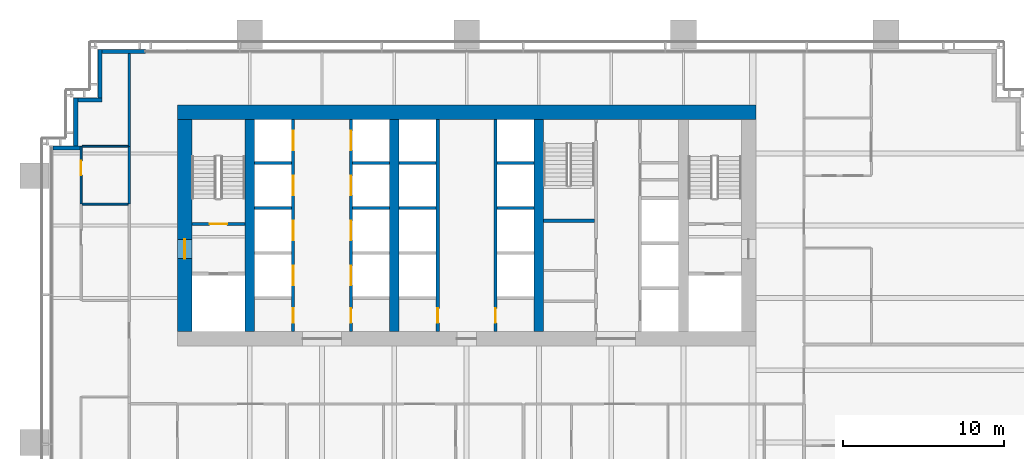
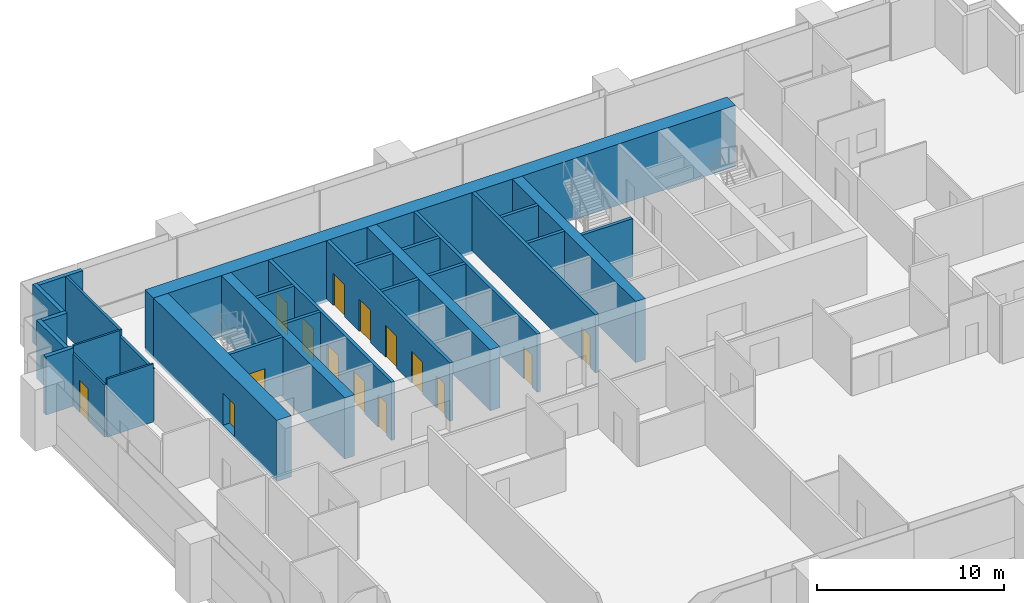
# One storey, part 14 of 19: 29 walls, 15 doors, 15 openings.
"""IFC4 building model written with IfcOpenShell, lengths in metres."""

from ifc_helpers import new_model, si_unit, direction, frame, frame_2d, origin, place, context, subcontext, project, spatial, rectangle, extrude, material, layer, layer_set, type_object, element, fill, save


model = new_model("IFC4")

# Units and contexts
model_context = context("Model", 3, precision=1e-05, world=origin(), true_north=direction((0.0, 1.0)))
body_context = subcontext(model_context, "Body", "Model", "MODEL_VIEW")
ifc_project = project(units=[si_unit("LENGTHUNIT", "METRE"), si_unit("AREAUNIT", "SQUARE_METRE"), si_unit("VOLUMEUNIT", "CUBIC_METRE"), si_unit("PLANEANGLEUNIT", "RADIAN"), si_unit("MASSUNIT", "GRAM", prefix="KILO")], contexts=[model_context])

# Site, building, storey
site_placement = place(None, origin())
site = spatial("IfcSite", under=ifc_project, at=site_placement, CompositionType="ELEMENT")
building_placement = place(site_placement, origin())
building = spatial("IfcBuilding", under=site, at=building_placement, Name="Rattan Terrace Tower", CompositionType="ELEMENT")
storey_placement = place(building_placement, frame((0.0, 0.0, 87.699951171875)))
storey = spatial("IfcBuildingStorey", under=building, at=storey_placement, Name="L19", CompositionType="ELEMENT", Elevation=87.699951171875)

# Wall, opening, door
ifc_material_1 = material(Name="Gypsum board partition")
ifc_layer_1 = layer(ifc_material_1, 0.199951171875)
ifc_layer_set_1 = layer_set([ifc_layer_1], Name="Core partition 200")
wall_type_1 = type_object("IfcWallType", Name="Core partition 200", PredefinedType="PARTITIONING", material=ifc_layer_set_1)
wall_1_placement = place(storey_placement, frame((-17.10009765625, 0.10009765625, 0.0), z_axis=(0.0, 0.0, 1.0), x_axis=(1.0, 0.0, 0.0)))
wall_1 = element("IfcWall", 1, at=wall_1_placement, inside=storey, type_object=wall_type_1, Name="Stair enclosure wall", PredefinedType="PARTITIONING", context=body_context, shape_type="SweptSolid", body=[
    extrude(rectangle(XDim=3.300048828125, YDim=0.199951171875, at=frame_2d((1.64990234375, 0.0))), origin(), (0.0, 0.0, 1.0), 3.800048828125),
])
opening_1_placement = place(wall_1_placement, frame((1.10009765625, 0.0, 0.0)))
opening_1 = element("IfcOpeningElement", 2, at=opening_1_placement, cuts=wall_1, Name="Opening L19-D002", PredefinedType="OPENING", context=body_context, shape_type="SweptSolid", body=[
    extrude(rectangle(XDim=1.10009765625, YDim=2.10009765625, at=frame_2d((0.550048828125, 1.050048828125))), frame((0.0, 0.110595703125, 0.0), z_axis=(0.0, -1.0, 0.0), x_axis=(1.0, 0.0, 0.0)), (0.0, 0.0, 1.0), 0.220947265625),
])
ifc_material_2 = material(Name="Hollow-metal fire door leaf")
door_type_1 = type_object("IfcDoorType", Name="Core stair door 1100", OperationType="NOTDEFINED", PredefinedType="DOOR", material=ifc_material_2)
door_1_placement = place(opening_1_placement, origin())
door_1 = element("IfcDoor", 3, at=door_1_placement, inside=storey, type_object=door_type_1, Name="Door L19-D002", OperationType="SINGLE_SWING_LEFT", OverallHeight=2.10009765625, OverallWidth=1.10009765625, PredefinedType="DOOR", context=body_context, shape_type="SweptSolid", body=[
    extrude(rectangle(XDim=1.10009765625, YDim=2.10009765625, at=frame_2d((0.550048828125, 1.050048828125))), frame((0.0, 0.02490234375, 0.0), z_axis=(0.0, -1.0, 0.0), x_axis=(1.0, 0.0, 0.0)), (0.0, 0.0, 1.0), 0.050048828125),
])
fill(opening_1, door_1)

# Walls
wall_2_placement = place(storey_placement, frame((4.800048828125, 0.300048828125, 0.0), z_axis=(0.0, 0.0, 1.0), x_axis=(1.0, 0.0, 0.0)))
element("IfcWall", 4, at=wall_2_placement, inside=storey, type_object=wall_type_1, Name="Stair enclosure wall", PredefinedType="PARTITIONING", context=body_context, shape_type="SweptSolid", body=[
    extrude(rectangle(XDim=3.14990234375, YDim=0.199951171875, at=frame_2d((1.574951171875, 0.0))), origin(), (0.0, 0.0, 1.0), 3.800048828125),
])
ifc_material_3 = material(Name="Concrete C70/85", Category="concrete")
ifc_layer_2 = layer(ifc_material_3, 0.89990234375)
ifc_layer_set_2 = layer_set([ifc_layer_2], Name="Core ring wall 900 C70/85")
wall_type_2 = type_object("IfcWallType", Name="Core ring wall 900 C70/85", PredefinedType="SHEAR", material=ifc_layer_set_2)
wall_3_placement = place(storey_placement, frame((-18.0, 7.050048828125, -0.199951171875), z_axis=(0.0, 0.0, 1.0), x_axis=(1.0, 0.0, 0.0)))
element("IfcWall", 5, at=wall_3_placement, inside=storey, type_object=wall_type_2, Name="Rear core wall north", PredefinedType="SHEAR", context=body_context, shape_type="SweptSolid", body=[
    extrude(rectangle(XDim=36.0, YDim=0.89990234375, at=frame_2d((18.0, 0.0))), origin(), (0.0, 0.0, 1.0), 4.0),
])

# Wall, opening, door
wall_4_placement = place(storey_placement, frame((-17.550048828125, -6.60009765625, -0.199951171875), z_axis=(0.0, 0.0, 1.0), x_axis=(0.0, 1.0, 0.0)))
wall_4 = element("IfcWall", 6, at=wall_4_placement, inside=storey, type_object=wall_type_2, Name="Rear core wall west", PredefinedType="SHEAR", context=body_context, shape_type="SweptSolid", body=[
    extrude(rectangle(XDim=13.2001953125, YDim=0.89990234375, at=frame_2d((6.60009765625, 0.0))), origin(), (0.0, 0.0, 1.0), 4.0),
])
opening_2_placement = place(wall_4_placement, frame((4.550048828125, 0.0, 0.199951171875)))
opening_2 = element("IfcOpeningElement", 7, at=opening_2_placement, cuts=wall_4, Name="Opening L19-D001", PredefinedType="OPENING", context=body_context, shape_type="SweptSolid", body=[
    extrude(rectangle(XDim=1.199951171875, YDim=2.10009765625, at=frame_2d((0.60009765625, 1.050048828125))), frame((0.0, 0.46044921875, 0.0), z_axis=(0.0, -1.0, 0.0), x_axis=(1.0, 0.0, 0.0)), (0.0, 0.0, 1.0), 0.9208984375),
])
ifc_material_4 = material(Name="Hollow-metal fire door leaf")
door_type_2 = type_object("IfcDoorType", Name="Core fire-fighting lobby door 1200", OperationType="NOTDEFINED", PredefinedType="DOOR", material=ifc_material_4)
door_2_placement = place(opening_2_placement, origin())
door_2 = element("IfcDoor", 8, at=door_2_placement, inside=storey, type_object=door_type_2, Name="Door L19-D001", OperationType="SINGLE_SWING_RIGHT", OverallHeight=2.10009765625, OverallWidth=1.199951171875, PredefinedType="DOOR", context=body_context, shape_type="SweptSolid", body=[
    extrude(rectangle(XDim=1.199951171875, YDim=2.10009765625, at=frame_2d((0.60009765625, 1.050048828125))), frame((0.0, 0.02490234375, 0.0), z_axis=(0.0, -1.0, 0.0), x_axis=(1.0, 0.0, 0.0)), (0.0, 0.0, 1.0), 0.050048828125),
])
fill(opening_2, door_2)

# Walls
ifc_material_5 = material(Name="Concrete C70/85", Category="concrete")
ifc_layer_3 = layer(ifc_material_5, 0.60009765625)
ifc_layer_set_3 = layer_set([ifc_layer_3], Name="Core spine wall 600 C70/85")
wall_type_3 = type_object("IfcWallType", Name="Core spine wall 600 C70/85", PredefinedType="SHEAR", material=ifc_layer_set_3)
for number, where, z_axis, x_axis, name in (
    (9, (-13.5, -6.60009765625, -0.199951171875), (0.0, 0.0, 1.0), (0.0, 1.0, 0.0), "Core spine wall 1"),
    (10, (-4.5, -6.60009765625, -0.199951171875), (0.0, 0.0, 1.0), (0.0, 1.0, 0.0), "Core spine wall 2"),
    (11, (4.5, -6.60009765625, -0.199951171875), (0.0, 0.0, 1.0), (0.0, 1.0, 0.0), "Core spine wall 3"),
):
    element("IfcWall", number, at=place(storey_placement, frame(where, z_axis=z_axis, x_axis=x_axis)), inside=storey, type_object=wall_type_3, Name=name, PredefinedType="SHEAR", context=body_context, shape_type="SweptSolid", body=[
        extrude(rectangle(XDim=13.2001953125, YDim=0.60009765625, at=frame_2d((6.60009765625, 0.0))), origin(), (0.0, 0.0, 1.0), 4.0),
    ])
ifc_material_6 = material(Name="Insulated aluminium-clad stud wall", Category="aluminium")
ifc_layer_4 = layer(ifc_material_6, 0.25)
ifc_layer_set_4 = layer_set([ifc_layer_4], Name="Facade Riser Wall 250")
wall_type_4 = type_object("IfcWallType", Name="Facade Riser Wall 250", PredefinedType="SOLIDWALL", material=ifc_layer_set_4)
wall_5_placement = place(storey_placement, frame((-20.0, 10.830078125, 0.0), z_axis=(0.0, 0.0, 1.0), x_axis=(-1.0, 0.0, 0.0)))
element("IfcWall", 12, at=wall_5_placement, inside=storey, type_object=wall_type_4, Name="Riser wall L19-11", PredefinedType="SOLIDWALL", context=body_context, shape_type="SweptSolid", body=[
    extrude(rectangle(XDim=2.705078125, YDim=0.25, at=frame_2d((1.3525390625, 0.0))), origin(), (0.0, 0.0, 1.0), 3.800048828125),
])
wall_6_placement = place(storey_placement, frame((-22.830078125, 10.955078125, 0.0), z_axis=(0.0, 0.0, 1.0), x_axis=(0.0, -1.0, 0.0)))
element("IfcWall", 13, at=wall_6_placement, inside=storey, type_object=wall_type_4, Name="Riser wall L19-12", PredefinedType="SOLIDWALL", context=body_context, shape_type="SweptSolid", body=[
    extrude(rectangle(XDim=3.0, YDim=0.25, at=frame_2d((1.5, 0.0))), origin(), (0.0, 0.0, 1.0), 3.800048828125),
])
wall_7_placement = place(storey_placement, frame((-22.705078125, 7.830078125, 0.0), z_axis=(0.0, 0.0, 1.0), x_axis=(-1.0, 0.0, 0.0)))
element("IfcWall", 14, at=wall_7_placement, inside=storey, type_object=wall_type_4, Name="Riser wall L19-13", PredefinedType="SOLIDWALL", context=body_context, shape_type="SweptSolid", body=[
    extrude(rectangle(XDim=1.5, YDim=0.25, at=frame_2d((0.75, 0.0))), origin(), (0.0, 0.0, 1.0), 3.800048828125),
])
wall_8_placement = place(storey_placement, frame((-24.330078125, 7.955078125, 0.0), z_axis=(0.0, 0.0, 1.0), x_axis=(0.0, -1.0, 0.0)))
element("IfcWall", 15, at=wall_8_placement, inside=storey, type_object=wall_type_4, Name="Riser wall L19-14", PredefinedType="SOLIDWALL", context=body_context, shape_type="SweptSolid", body=[
    extrude(rectangle(XDim=3.0, YDim=0.25, at=frame_2d((1.5, 0.0))), origin(), (0.0, 0.0, 1.0), 3.800048828125),
])
wall_9_placement = place(storey_placement, frame((-24.054931640625, 4.830078125, 0.0), z_axis=(0.0, 0.0, 1.0), x_axis=(-1.0, 0.0, 0.0)))
element("IfcWall", 16, at=wall_9_placement, inside=storey, type_object=wall_type_4, Name="Riser wall L19-15", PredefinedType="SOLIDWALL", context=body_context, shape_type="SweptSolid", body=[
    extrude(rectangle(XDim=1.695068359375, YDim=0.25, at=frame_2d((0.84765625, 0.0))), origin(), (0.0, 0.0, 1.0), 3.800048828125),
])
ifc_material_7 = material(Name="Gypsum board partition on steel studs, fire rated", Category="steel")
ifc_layer_5 = layer(ifc_material_7, 0.14990234375)
ifc_layer_set_5 = layer_set([ifc_layer_5], Name="Floors Tenancy Wall 150")
wall_type_5 = type_object("IfcWallType", Name="Floors Tenancy Wall 150", PredefinedType="PARTITIONING", material=ifc_layer_set_5)
wall_10_placement = place(storey_placement, frame((-21.0, 4.919921875, 0.0), z_axis=(0.0, 0.0, 1.0), x_axis=(0.0, 1.0, 0.0)))
element("IfcWall", 17, at=wall_10_placement, inside=storey, type_object=wall_type_5, Name="pt-L19-002", PredefinedType="PARTITIONING", context=body_context, shape_type="SweptSolid", body=[
    extrude(rectangle(XDim=5.820068359375, YDim=0.14990234375, at=frame_2d((2.91015625, 0.0))), origin(), (0.0, 0.0, 1.0), 3.800048828125),
])
wall_11_placement = place(storey_placement, frame((-21.0, 1.360107421875, 0.0), z_axis=(0.0, 0.0, 1.0), x_axis=(0.0, 1.0, 0.0)))
element("IfcWall", 18, at=wall_11_placement, inside=storey, type_object=wall_type_5, Name="pt-L19-005", PredefinedType="PARTITIONING", context=body_context, shape_type="SweptSolid", body=[
    extrude(rectangle(XDim=3.559814453125, YDim=0.14990234375, at=frame_2d((1.77978515625, 0.0))), origin(), (0.0, 0.0, 1.0), 3.400146484375),
])

# Wall, opening, door
ifc_material_8 = material(Name="Moisture resistant gypsum board partition on steel studs with service cavity", Category="steel")
ifc_layer_6 = layer(ifc_material_8, 0.1201171875)
ifc_layer_set_6 = layer_set([ifc_layer_6], Name="Floors Wet Wall 120")
wall_type_6 = type_object("IfcWallType", Name="Floors Wet Wall 120", PredefinedType="PARTITIONING", material=ifc_layer_set_6)
wall_12_placement = place(storey_placement, frame((-24.0, 4.93994140625, 0.0), z_axis=(0.0, 0.0, 1.0), x_axis=(0.0, -1.0, 0.0)))
wall_12 = element("IfcWall", 19, at=wall_12_placement, inside=storey, type_object=wall_type_6, Name="pt-L19-027", PredefinedType="PARTITIONING", context=body_context, shape_type="SweptSolid", body=[
    extrude(rectangle(XDim=3.579833984375, YDim=0.1201171875, at=frame_2d((1.7900390625, 0.0))), origin(), (0.0, 0.0, 1.0), 3.400146484375),
])
opening_3_placement = place(wall_12_placement, frame((0.904052734375, 0.0, 0.0)))
opening_3 = element("IfcOpeningElement", 20, at=opening_3_placement, cuts=wall_12, Name="Opening L19-D105", PredefinedType="OPENING", context=body_context, shape_type="SweptSolid", body=[
    extrude(rectangle(XDim=0.89990234375, YDim=2.10009765625, at=frame_2d((0.449951171875, 1.050048828125))), frame((0.0, 0.070556640625, 0.0), z_axis=(0.0, -1.0, 0.0), x_axis=(1.0, 0.0, 0.0)), (0.0, 0.0, 1.0), 0.14111328125),
])
ifc_material_9 = material(Name="Solid core timber door, painted", Category="wood")
door_type_3 = type_object("IfcDoorType", Name="Floors Door 900x2100", OperationType="NOTDEFINED", PredefinedType="DOOR", material=ifc_material_9)
door_3_placement = place(opening_3_placement, origin())
door_3 = element("IfcDoor", 21, at=door_3_placement, inside=storey, type_object=door_type_3, Name="d-L19-105", OperationType="SINGLE_SWING_LEFT", OverallHeight=2.10009765625, OverallWidth=0.89990234375, PredefinedType="DOOR", context=body_context, shape_type="SweptSolid", body=[
    extrude(rectangle(XDim=0.89990234375, YDim=2.10009765625, at=frame_2d((0.449951171875, 1.050048828125))), frame((0.0, 0.02490234375, 0.0), z_axis=(0.0, -1.0, 0.0), x_axis=(1.0, 0.0, 0.0)), (0.0, 0.0, 1.0), 0.050048828125),
])
fill(opening_3, door_3)

# Walls
for number, where, z_axis, x_axis, name in (
    (22, (-21.074951171875, 4.93994140625, 0.0), (0.0, 0.0, 1.0), (-1.0, 0.0, 0.0), "pt-L19-028"),
    (23, (-23.93994140625, 1.340087890625, 0.0), (0.0, 0.0, 1.0), (1.0, 0.0, 0.0), "pt-L19-036"),
):
    element("IfcWall", number, at=place(storey_placement, frame(where, z_axis=z_axis, x_axis=x_axis)), inside=storey, type_object=wall_type_6, Name=name, PredefinedType="PARTITIONING", context=body_context, shape_type="SweptSolid", body=[
        extrude(rectangle(XDim=2.864990234375, YDim=0.1201171875, at=frame_2d((1.4326171875, 0.0))), origin(), (0.0, 0.0, 1.0), 3.800048828125),
    ])

# Wall, openings, doors
ifc_material_10 = material(Name="Gypsum shaft wall system")
ifc_layer_7 = layer(ifc_material_10, 0.199951171875)
ifc_layer_set_7 = layer_set([ifc_layer_7], Name="Lift shaft wall 200")
wall_type_7 = type_object("IfcWallType", Name="Lift shaft wall 200", PredefinedType="PARTITIONING", material=ifc_layer_set_7)
wall_13_placement = place(storey_placement, frame((-10.800048828125, -6.60009765625, 0.0), z_axis=(0.0, 0.0, 1.0), x_axis=(0.0, 1.0, 0.0)))
wall_13 = element("IfcWall", 24, at=wall_13_placement, inside=storey, type_object=wall_type_7, Name="Lift shaft front wall", PredefinedType="PARTITIONING", context=body_context, shape_type="SweptSolid", body=[
    extrude(rectangle(XDim=13.2001953125, YDim=0.199951171875, at=frame_2d((6.60009765625, 0.0))), origin(), (0.0, 0.0, 1.0), 3.800048828125),
])
opening_4_placement = place(wall_13_placement, frame((0.550048828125, 0.0, 0.0)))
opening_4 = element("IfcOpeningElement", 25, at=opening_4_placement, cuts=wall_13, Name="Opening L19-D005", PredefinedType="OPENING", context=body_context, shape_type="SweptSolid", body=[
    extrude(rectangle(XDim=0.89990234375, YDim=2.10009765625, at=frame_2d((0.449951171875, 1.050048828125))), frame((0.0, 0.110595703125, 0.0), z_axis=(0.0, -1.0, 0.0), x_axis=(1.0, 0.0, 0.0)), (0.0, 0.0, 1.0), 0.220947265625),
])
opening_5_placement = place(wall_13_placement, frame((2.89990234375, 0.0, 0.0)))
opening_5 = element("IfcOpeningElement", 26, at=opening_5_placement, cuts=wall_13, Name="Opening L19-LD-LR1", PredefinedType="OPENING", context=body_context, shape_type="SweptSolid", body=[
    extrude(rectangle(XDim=1.199951171875, YDim=2.10009765625, at=frame_2d((0.60009765625, 1.050048828125))), frame((0.0, 0.110595703125, 0.0), z_axis=(0.0, -1.0, 0.0), x_axis=(1.0, 0.0, 0.0)), (0.0, 0.0, 1.0), 0.220947265625),
])
opening_6_placement = place(wall_13_placement, frame((5.699951171875, 0.0, 0.0)))
opening_6 = element("IfcOpeningElement", 27, at=opening_6_placement, cuts=wall_13, Name="Opening L19-LD-LR2", PredefinedType="OPENING", context=body_context, shape_type="SweptSolid", body=[
    extrude(rectangle(XDim=1.199951171875, YDim=2.10009765625, at=frame_2d((0.60009765625, 1.050048828125))), frame((0.0, 0.110595703125, 0.0), z_axis=(0.0, -1.0, 0.0), x_axis=(1.0, 0.0, 0.0)), (0.0, 0.0, 1.0), 0.220947265625),
])
opening_7_placement = place(wall_13_placement, frame((8.5, 0.0, 0.0)))
opening_7 = element("IfcOpeningElement", 28, at=opening_7_placement, cuts=wall_13, Name="Opening L19-LD-LR3", PredefinedType="OPENING", context=body_context, shape_type="SweptSolid", body=[
    extrude(rectangle(XDim=1.199951171875, YDim=2.10009765625, at=frame_2d((0.60009765625, 1.050048828125))), frame((0.0, 0.110595703125, 0.0), z_axis=(0.0, -1.0, 0.0), x_axis=(1.0, 0.0, 0.0)), (0.0, 0.0, 1.0), 0.220947265625),
])
opening_8_placement = place(wall_13_placement, frame((11.300048828125, 0.0, 0.0)))
opening_8 = element("IfcOpeningElement", 29, at=opening_8_placement, cuts=wall_13, Name="Opening L19-LD-LR4", PredefinedType="OPENING", context=body_context, shape_type="SweptSolid", body=[
    extrude(rectangle(XDim=1.199951171875, YDim=2.10009765625, at=frame_2d((0.60009765625, 1.050048828125))), frame((0.0, 0.110595703125, 0.0), z_axis=(0.0, -1.0, 0.0), x_axis=(1.0, 0.0, 0.0)), (0.0, 0.0, 1.0), 0.220947265625),
])
ifc_material_11 = material(Name="Brushed stainless landing door panel")
door_type_4 = type_object("IfcDoorType", Name="Core lift landing door 1200", OperationType="DOUBLE_DOOR_SLIDING", PredefinedType="DOOR", material=ifc_material_11)
door_4_placement = place(opening_5_placement, origin())
door_4 = element("IfcDoor", 30, at=door_4_placement, inside=storey, type_object=door_type_4, Name="Door L19-LD-LR1", OperationType="DOUBLE_DOOR_SLIDING", OverallHeight=2.10009765625, OverallWidth=1.199951171875, PredefinedType="DOOR", context=body_context, shape_type="SweptSolid", body=[
    extrude(rectangle(XDim=1.199951171875, YDim=2.10009765625, at=frame_2d((0.60009765625, 1.050048828125))), frame((0.0, 0.02490234375, 0.0), z_axis=(0.0, -1.0, 0.0), x_axis=(1.0, 0.0, 0.0)), (0.0, 0.0, 1.0), 0.050048828125),
])
fill(opening_5, door_4)
door_5_placement = place(opening_6_placement, origin())
door_5 = element("IfcDoor", 31, at=door_5_placement, inside=storey, type_object=door_type_4, Name="Door L19-LD-LR2", OperationType="DOUBLE_DOOR_SLIDING", OverallHeight=2.10009765625, OverallWidth=1.199951171875, PredefinedType="DOOR", context=body_context, shape_type="SweptSolid", body=[
    extrude(rectangle(XDim=1.199951171875, YDim=2.10009765625, at=frame_2d((0.60009765625, 1.050048828125))), frame((0.0, 0.02490234375, 0.0), z_axis=(0.0, -1.0, 0.0), x_axis=(1.0, 0.0, 0.0)), (0.0, 0.0, 1.0), 0.050048828125),
])
fill(opening_6, door_5)
door_6_placement = place(opening_7_placement, origin())
door_6 = element("IfcDoor", 32, at=door_6_placement, inside=storey, type_object=door_type_4, Name="Door L19-LD-LR3", OperationType="DOUBLE_DOOR_SLIDING", OverallHeight=2.10009765625, OverallWidth=1.199951171875, PredefinedType="DOOR", context=body_context, shape_type="SweptSolid", body=[
    extrude(rectangle(XDim=1.199951171875, YDim=2.10009765625, at=frame_2d((0.60009765625, 1.050048828125))), frame((0.0, 0.02490234375, 0.0), z_axis=(0.0, -1.0, 0.0), x_axis=(1.0, 0.0, 0.0)), (0.0, 0.0, 1.0), 0.050048828125),
])
fill(opening_7, door_6)
door_7_placement = place(opening_8_placement, origin())
door_7 = element("IfcDoor", 33, at=door_7_placement, inside=storey, type_object=door_type_4, Name="Door L19-LD-LR4", OperationType="DOUBLE_DOOR_SLIDING", OverallHeight=2.10009765625, OverallWidth=1.199951171875, PredefinedType="DOOR", context=body_context, shape_type="SweptSolid", body=[
    extrude(rectangle(XDim=1.199951171875, YDim=2.10009765625, at=frame_2d((0.60009765625, 1.050048828125))), frame((0.0, 0.02490234375, 0.0), z_axis=(0.0, -1.0, 0.0), x_axis=(1.0, 0.0, 0.0)), (0.0, 0.0, 1.0), 0.050048828125),
])
fill(opening_8, door_7)
ifc_material_12 = material(Name="Hollow-metal fire door leaf")
door_type_5 = type_object("IfcDoorType", Name="Core riser door 900", OperationType="NOTDEFINED", PredefinedType="DOOR", material=ifc_material_12)
door_8_placement = place(opening_4_placement, origin())
door_8 = element("IfcDoor", 34, at=door_8_placement, inside=storey, type_object=door_type_5, Name="Door L19-D005", OperationType="SINGLE_SWING_RIGHT", OverallHeight=2.10009765625, OverallWidth=0.89990234375, PredefinedType="DOOR", context=body_context, shape_type="SweptSolid", body=[
    extrude(rectangle(XDim=0.89990234375, YDim=2.10009765625, at=frame_2d((0.449951171875, 1.050048828125))), frame((0.0, 0.02490234375, 0.0), z_axis=(0.0, -1.0, 0.0), x_axis=(1.0, 0.0, 0.0)), (0.0, 0.0, 1.0), 0.050048828125),
])
fill(opening_4, door_8)

wall_14_placement = place(storey_placement, frame((-7.199951171875, -6.60009765625, 0.0), z_axis=(0.0, 0.0, 1.0), x_axis=(0.0, 1.0, 0.0)))
wall_14 = element("IfcWall", 35, at=wall_14_placement, inside=storey, type_object=wall_type_7, Name="Lift shaft front wall", PredefinedType="PARTITIONING", context=body_context, shape_type="SweptSolid", body=[
    extrude(rectangle(XDim=13.2001953125, YDim=0.199951171875, at=frame_2d((6.60009765625, 0.0))), origin(), (0.0, 0.0, 1.0), 3.800048828125),
])
opening_9_placement = place(wall_14_placement, frame((0.550048828125, 0.0, 0.0)))
opening_9 = element("IfcOpeningElement", 36, at=opening_9_placement, cuts=wall_14, Name="Opening L19-D006", PredefinedType="OPENING", context=body_context, shape_type="SweptSolid", body=[
    extrude(rectangle(XDim=0.89990234375, YDim=2.10009765625, at=frame_2d((0.449951171875, 1.050048828125))), frame((0.0, 0.110595703125, 0.0), z_axis=(0.0, -1.0, 0.0), x_axis=(1.0, 0.0, 0.0)), (0.0, 0.0, 1.0), 0.220947265625),
])
opening_10_placement = place(wall_14_placement, frame((2.89990234375, 0.0, 0.0)))
opening_10 = element("IfcOpeningElement", 37, at=opening_10_placement, cuts=wall_14, Name="Opening L19-LD-LR5", PredefinedType="OPENING", context=body_context, shape_type="SweptSolid", body=[
    extrude(rectangle(XDim=1.199951171875, YDim=2.10009765625, at=frame_2d((0.60009765625, 1.050048828125))), frame((0.0, 0.110595703125, 0.0), z_axis=(0.0, -1.0, 0.0), x_axis=(1.0, 0.0, 0.0)), (0.0, 0.0, 1.0), 0.220947265625),
])
opening_11_placement = place(wall_14_placement, frame((5.699951171875, 0.0, 0.0)))
opening_11 = element("IfcOpeningElement", 38, at=opening_11_placement, cuts=wall_14, Name="Opening L19-LD-LR6", PredefinedType="OPENING", context=body_context, shape_type="SweptSolid", body=[
    extrude(rectangle(XDim=1.199951171875, YDim=2.10009765625, at=frame_2d((0.60009765625, 1.050048828125))), frame((0.0, 0.110595703125, 0.0), z_axis=(0.0, -1.0, 0.0), x_axis=(1.0, 0.0, 0.0)), (0.0, 0.0, 1.0), 0.220947265625),
])
opening_12_placement = place(wall_14_placement, frame((8.5, 0.0, 0.0)))
opening_12 = element("IfcOpeningElement", 39, at=opening_12_placement, cuts=wall_14, Name="Opening L19-LD-LR7", PredefinedType="OPENING", context=body_context, shape_type="SweptSolid", body=[
    extrude(rectangle(XDim=1.199951171875, YDim=2.10009765625, at=frame_2d((0.60009765625, 1.050048828125))), frame((0.0, 0.110595703125, 0.0), z_axis=(0.0, -1.0, 0.0), x_axis=(1.0, 0.0, 0.0)), (0.0, 0.0, 1.0), 0.220947265625),
])
opening_13_placement = place(wall_14_placement, frame((11.300048828125, 0.0, 0.0)))
opening_13 = element("IfcOpeningElement", 40, at=opening_13_placement, cuts=wall_14, Name="Opening L19-LD-LR8", PredefinedType="OPENING", context=body_context, shape_type="SweptSolid", body=[
    extrude(rectangle(XDim=1.199951171875, YDim=2.10009765625, at=frame_2d((0.60009765625, 1.050048828125))), frame((0.0, 0.110595703125, 0.0), z_axis=(0.0, -1.0, 0.0), x_axis=(1.0, 0.0, 0.0)), (0.0, 0.0, 1.0), 0.220947265625),
])
door_9_placement = place(opening_10_placement, origin())
door_9 = element("IfcDoor", 41, at=door_9_placement, inside=storey, type_object=door_type_4, Name="Door L19-LD-LR5", OperationType="DOUBLE_DOOR_SLIDING", OverallHeight=2.10009765625, OverallWidth=1.199951171875, PredefinedType="DOOR", context=body_context, shape_type="SweptSolid", body=[
    extrude(rectangle(XDim=1.199951171875, YDim=2.10009765625, at=frame_2d((0.60009765625, 1.050048828125))), frame((0.0, 0.02490234375, 0.0), z_axis=(0.0, -1.0, 0.0), x_axis=(1.0, 0.0, 0.0)), (0.0, 0.0, 1.0), 0.050048828125),
])
fill(opening_10, door_9)
door_10_placement = place(opening_11_placement, origin())
door_10 = element("IfcDoor", 42, at=door_10_placement, inside=storey, type_object=door_type_4, Name="Door L19-LD-LR6", OperationType="DOUBLE_DOOR_SLIDING", OverallHeight=2.10009765625, OverallWidth=1.199951171875, PredefinedType="DOOR", context=body_context, shape_type="SweptSolid", body=[
    extrude(rectangle(XDim=1.199951171875, YDim=2.10009765625, at=frame_2d((0.60009765625, 1.050048828125))), frame((0.0, 0.02490234375, 0.0), z_axis=(0.0, -1.0, 0.0), x_axis=(1.0, 0.0, 0.0)), (0.0, 0.0, 1.0), 0.050048828125),
])
fill(opening_11, door_10)
door_11_placement = place(opening_12_placement, origin())
door_11 = element("IfcDoor", 43, at=door_11_placement, inside=storey, type_object=door_type_4, Name="Door L19-LD-LR7", OperationType="DOUBLE_DOOR_SLIDING", OverallHeight=2.10009765625, OverallWidth=1.199951171875, PredefinedType="DOOR", context=body_context, shape_type="SweptSolid", body=[
    extrude(rectangle(XDim=1.199951171875, YDim=2.10009765625, at=frame_2d((0.60009765625, 1.050048828125))), frame((0.0, 0.02490234375, 0.0), z_axis=(0.0, -1.0, 0.0), x_axis=(1.0, 0.0, 0.0)), (0.0, 0.0, 1.0), 0.050048828125),
])
fill(opening_12, door_11)
door_12_placement = place(opening_13_placement, origin())
door_12 = element("IfcDoor", 44, at=door_12_placement, inside=storey, type_object=door_type_4, Name="Door L19-LD-LR8", OperationType="DOUBLE_DOOR_SLIDING", OverallHeight=2.10009765625, OverallWidth=1.199951171875, PredefinedType="DOOR", context=body_context, shape_type="SweptSolid", body=[
    extrude(rectangle(XDim=1.199951171875, YDim=2.10009765625, at=frame_2d((0.60009765625, 1.050048828125))), frame((0.0, 0.02490234375, 0.0), z_axis=(0.0, -1.0, 0.0), x_axis=(1.0, 0.0, 0.0)), (0.0, 0.0, 1.0), 0.050048828125),
])
fill(opening_13, door_12)
door_13_placement = place(opening_9_placement, origin())
door_13 = element("IfcDoor", 45, at=door_13_placement, inside=storey, type_object=door_type_5, Name="Door L19-D006", OperationType="SINGLE_SWING_LEFT", OverallHeight=2.10009765625, OverallWidth=0.89990234375, PredefinedType="DOOR", context=body_context, shape_type="SweptSolid", body=[
    extrude(rectangle(XDim=0.89990234375, YDim=2.10009765625, at=frame_2d((0.449951171875, 1.050048828125))), frame((0.0, 0.02490234375, 0.0), z_axis=(0.0, -1.0, 0.0), x_axis=(1.0, 0.0, 0.0)), (0.0, 0.0, 1.0), 0.050048828125),
])
fill(opening_9, door_13)

# Walls
for number, where, z_axis, x_axis, name in (
    (46, (-13.199951171875, 1.10009765625, 0.0), (0.0, 0.0, 1.0), (1.0, 0.0, 0.0), "Lift shaft wall"),
    (47, (-13.199951171875, 3.89990234375, 0.0), (0.0, 0.0, 1.0), (1.0, 0.0, 0.0), "Lift shaft wall"),
    (48, (-7.10009765625, 1.10009765625, 0.0), (0.0, 0.0, 1.0), (1.0, 0.0, 0.0), "Lift shaft wall"),
    (49, (-7.10009765625, 3.89990234375, 0.0), (0.0, 0.0, 1.0), (1.0, 0.0, 0.0), "Lift shaft wall"),
):
    element("IfcWall", number, at=place(storey_placement, frame(where, z_axis=z_axis, x_axis=x_axis)), inside=storey, type_object=wall_type_7, Name=name, PredefinedType="PARTITIONING", context=body_context, shape_type="SweptSolid", body=[
        extrude(rectangle(XDim=2.300048828125, YDim=0.199951171875, at=frame_2d((1.14990234375, 0.0))), origin(), (0.0, 0.0, 1.0), 3.800048828125),
    ])

# Wall, opening, door
wall_15_placement = place(storey_placement, frame((-1.800048828125, -6.60009765625, 0.0), z_axis=(0.0, 0.0, 1.0), x_axis=(0.0, 1.0, 0.0)))
wall_15 = element("IfcWall", 50, at=wall_15_placement, inside=storey, type_object=wall_type_7, Name="Lift shaft front wall", PredefinedType="PARTITIONING", context=body_context, shape_type="SweptSolid", body=[
    extrude(rectangle(XDim=13.2001953125, YDim=0.199951171875, at=frame_2d((6.60009765625, 0.0))), origin(), (0.0, 0.0, 1.0), 3.800048828125),
])
opening_14_placement = place(wall_15_placement, frame((0.550048828125, 0.0, 0.0)))
opening_14 = element("IfcOpeningElement", 51, at=opening_14_placement, cuts=wall_15, Name="Opening L19-D008", PredefinedType="OPENING", context=body_context, shape_type="SweptSolid", body=[
    extrude(rectangle(XDim=0.89990234375, YDim=2.10009765625, at=frame_2d((0.449951171875, 1.050048828125))), frame((0.0, 0.110595703125, 0.0), z_axis=(0.0, -1.0, 0.0), x_axis=(1.0, 0.0, 0.0)), (0.0, 0.0, 1.0), 0.220947265625),
])
door_14_placement = place(opening_14_placement, origin())
door_14 = element("IfcDoor", 52, at=door_14_placement, inside=storey, type_object=door_type_5, Name="Door L19-D008", OperationType="SINGLE_SWING_RIGHT", OverallHeight=2.10009765625, OverallWidth=0.89990234375, PredefinedType="DOOR", context=body_context, shape_type="SweptSolid", body=[
    extrude(rectangle(XDim=0.89990234375, YDim=2.10009765625, at=frame_2d((0.449951171875, 1.050048828125))), frame((0.0, 0.02490234375, 0.0), z_axis=(0.0, -1.0, 0.0), x_axis=(1.0, 0.0, 0.0)), (0.0, 0.0, 1.0), 0.050048828125),
])
fill(opening_14, door_14)

wall_16_placement = place(storey_placement, frame((1.800048828125, -6.60009765625, 0.0), z_axis=(0.0, 0.0, 1.0), x_axis=(0.0, 1.0, 0.0)))
wall_16 = element("IfcWall", 53, at=wall_16_placement, inside=storey, type_object=wall_type_7, Name="Lift shaft front wall", PredefinedType="PARTITIONING", context=body_context, shape_type="SweptSolid", body=[
    extrude(rectangle(XDim=13.2001953125, YDim=0.199951171875, at=frame_2d((6.60009765625, 0.0))), origin(), (0.0, 0.0, 1.0), 3.800048828125),
])
opening_15_placement = place(wall_16_placement, frame((0.550048828125, 0.0, 0.0)))
opening_15 = element("IfcOpeningElement", 54, at=opening_15_placement, cuts=wall_16, Name="Opening L19-D009", PredefinedType="OPENING", context=body_context, shape_type="SweptSolid", body=[
    extrude(rectangle(XDim=0.89990234375, YDim=2.10009765625, at=frame_2d((0.449951171875, 1.050048828125))), frame((0.0, 0.110595703125, 0.0), z_axis=(0.0, -1.0, 0.0), x_axis=(1.0, 0.0, 0.0)), (0.0, 0.0, 1.0), 0.220947265625),
])
door_15_placement = place(opening_15_placement, origin())
door_15 = element("IfcDoor", 55, at=door_15_placement, inside=storey, type_object=door_type_5, Name="Door L19-D009", OperationType="SINGLE_SWING_LEFT", OverallHeight=2.10009765625, OverallWidth=0.89990234375, PredefinedType="DOOR", context=body_context, shape_type="SweptSolid", body=[
    extrude(rectangle(XDim=0.89990234375, YDim=2.10009765625, at=frame_2d((0.449951171875, 1.050048828125))), frame((0.0, 0.02490234375, 0.0), z_axis=(0.0, -1.0, 0.0), x_axis=(1.0, 0.0, 0.0)), (0.0, 0.0, 1.0), 0.050048828125),
])
fill(opening_15, door_15)

# Walls
for number, where, z_axis, x_axis, name in (
    (56, (-4.199951171875, 1.10009765625, 0.0), (0.0, 0.0, 1.0), (1.0, 0.0, 0.0), "Lift shaft wall"),
    (57, (-4.199951171875, 3.89990234375, 0.0), (0.0, 0.0, 1.0), (1.0, 0.0, 0.0), "Lift shaft wall"),
    (58, (1.89990234375, 1.10009765625, 0.0), (0.0, 0.0, 1.0), (1.0, 0.0, 0.0), "Lift shaft wall"),
    (59, (1.89990234375, 3.89990234375, 0.0), (0.0, 0.0, 1.0), (1.0, 0.0, 0.0), "Lift shaft wall"),
):
    element("IfcWall", number, at=place(storey_placement, frame(where, z_axis=z_axis, x_axis=x_axis)), inside=storey, type_object=wall_type_7, Name=name, PredefinedType="PARTITIONING", context=body_context, shape_type="SweptSolid", body=[
        extrude(rectangle(XDim=2.300048828125, YDim=0.199951171875, at=frame_2d((1.14990234375, 0.0))), origin(), (0.0, 0.0, 1.0), 3.800048828125),
    ])

save(model, "model.ifc")
